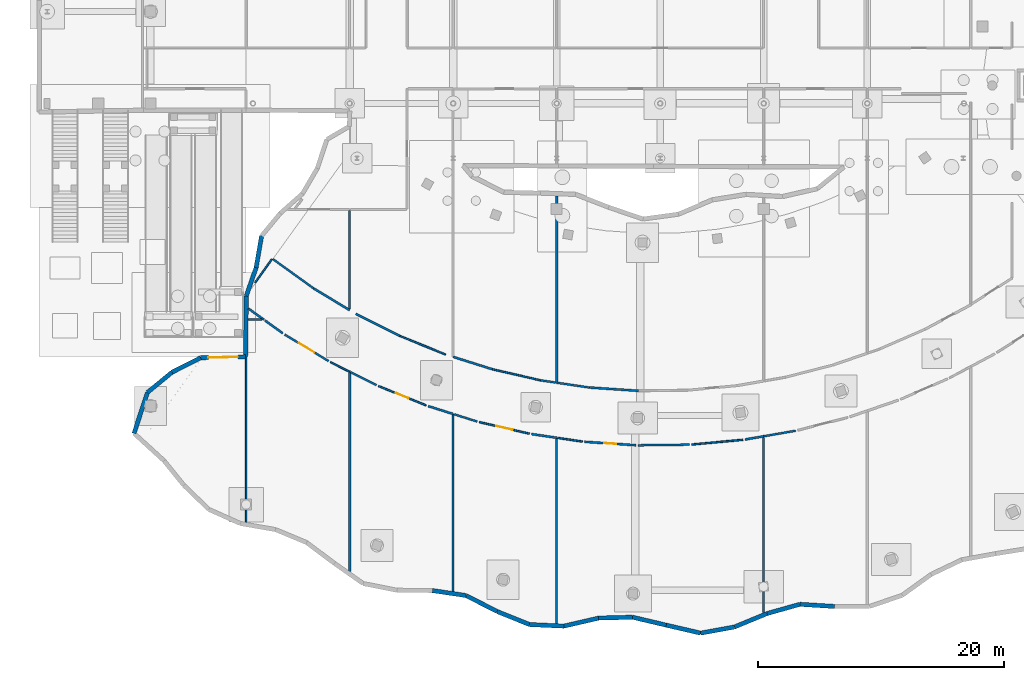
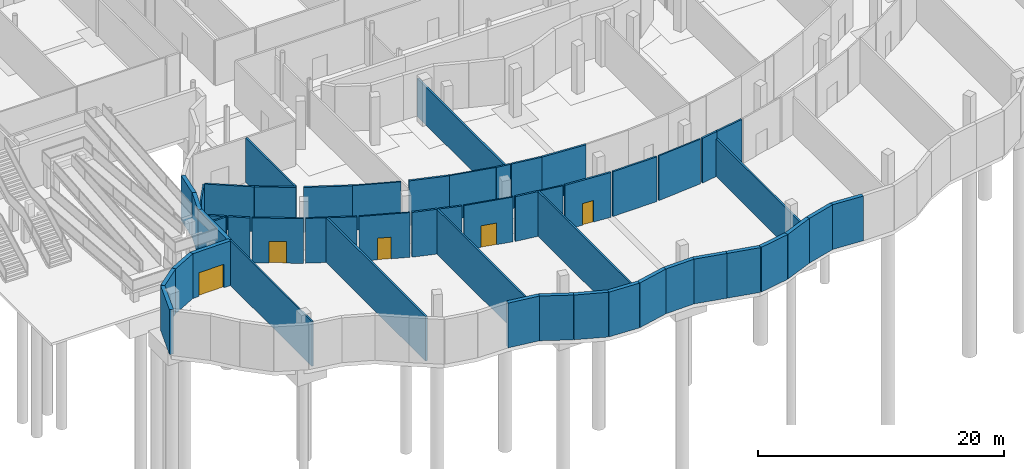
# One storey, part 25 of 45: 53 walls, 5 doors, 5 openings.
"""IFC4 building model written with IfcOpenShell, lengths in metres."""

from ifc_helpers import new_model, si_unit, direction, frame, frame_2d, origin, place, context, subcontext, project, spatial, rectangle, extrude, material, layer, layer_set, type_object, element, fill, save


model = new_model("IFC4")

# Units and contexts
model_context = context("Model", 3, precision=1e-05, world=origin(), true_north=direction((0.0, 1.0)))
body_context = subcontext(model_context, "Body", "Model", "MODEL_VIEW")
ifc_project = project(units=[si_unit("LENGTHUNIT", "METRE"), si_unit("AREAUNIT", "SQUARE_METRE"), si_unit("VOLUMEUNIT", "CUBIC_METRE"), si_unit("PLANEANGLEUNIT", "RADIAN"), si_unit("MASSUNIT", "GRAM", prefix="KILO")], contexts=[model_context])

# Site, building, storey
site_placement = place(None, origin())
site = spatial("IfcSite", under=ifc_project, at=site_placement, CompositionType="ELEMENT")
building_placement = place(site_placement, origin())
building = spatial("IfcBuilding", under=site, at=building_placement, Name="Selatvlak General Hospital", CompositionType="ELEMENT")
storey_placement = place(building_placement, frame((0.0, 0.0, -4.800048828125)))
storey = spatial("IfcBuildingStorey", under=building, at=storey_placement, Name="B1", CompositionType="ELEMENT", Elevation=-4.800048828125)

# Walls
ifc_material_1 = material(Name="Concrete C45/55", Category="concrete")
ifc_layer_1 = layer(ifc_material_1, 0.35009765625, Name="Concrete C45/55", Category="concrete")
ifc_layer_set_1 = layer_set([ifc_layer_1], Name="Concrete C45/55")
wall_type_1 = type_object("IfcWallType", Name="WALL-EW-05", PredefinedType="SHEAR", material=ifc_layer_set_1)
wall_1_placement = place(storey_placement, frame((70.55810546875, 11.72802734375, 0.0), z_axis=(0.0, 0.0, 1.0), x_axis=(-0.998033354876, 0.062685106323, 0.0)))
element("IfcWall", 1, at=wall_1_placement, inside=storey, type_object=wall_type_1, Name="B1 retaining wall 0088", PredefinedType="SHEAR", context=body_context, shape_type="SweptSolid", body=[
    extrude(rectangle(XDim=2.82373046875, YDim=0.35009765625, at=frame_2d((1.411865234375, 0.0))), origin(), (0.0, 0.0, 1.0), 4.449951171875),
])
wall_2_placement = place(storey_placement, frame((67.739990234375, 11.905029296875, 0.0), z_axis=(0.0, 0.0, 1.0), x_axis=(-0.962814213191, -0.270164377515, 0.0)))
element("IfcWall", 2, at=wall_2_placement, inside=storey, type_object=wall_type_1, Name="B1 retaining wall 0089", PredefinedType="SHEAR", context=body_context, shape_type="SweptSolid", body=[
    extrude(rectangle(XDim=2.76171875, YDim=0.35009765625, at=frame_2d((1.380859375, 0.0))), origin(), (0.0, 0.0, 1.0), 4.449951171875),
])
wall_3_placement = place(storey_placement, frame((65.0810546875, 11.158935546875, 0.0), z_axis=(0.0, 0.0, 1.0), x_axis=(-0.924656958571, -0.380801140973, 0.0)))
element("IfcWall", 3, at=wall_3_placement, inside=storey, type_object=wall_type_1, Name="B1 retaining wall 0090", PredefinedType="SHEAR", context=body_context, shape_type="SweptSolid", body=[
    extrude(rectangle(XDim=2.870361328125, YDim=0.35009765625, at=frame_2d((1.43505859375, 0.0))), origin(), (0.0, 0.0, 1.0), 4.449951171875),
])
wall_4_placement = place(storey_placement, frame((62.427001953125, 10.06591796875, 0.0), z_axis=(0.0, 0.0, 1.0), x_axis=(-0.983797136218, -0.179285232995, 0.0)))
element("IfcWall", 4, at=wall_4_placement, inside=storey, type_object=wall_type_1, Name="B1 retaining wall 0091", PredefinedType="SHEAR", context=body_context, shape_type="SweptSolid", body=[
    extrude(rectangle(XDim=2.794189453125, YDim=0.35009765625, at=frame_2d((1.39697265625, 0.0))), origin(), (0.0, 0.0, 1.0), 4.449951171875),
])
wall_5_placement = place(storey_placement, frame((59.677978515625, 9.56494140625, 0.0), z_axis=(0.0, 0.0, 1.0), x_axis=(-0.974164100438, 0.225841327967, 0.0)))
element("IfcWall", 5, at=wall_5_placement, inside=storey, type_object=wall_type_1, Name="B1 retaining wall 0092", PredefinedType="SHEAR", context=body_context, shape_type="SweptSolid", body=[
    extrude(rectangle(XDim=2.869140625, YDim=0.35009765625, at=frame_2d((1.4345703125, 0.0))), origin(), (0.0, 0.0, 1.0), 4.449951171875),
])
wall_6_placement = place(storey_placement, frame((56.883056640625, 10.212890625, 0.0), z_axis=(0.0, 0.0, 1.0), x_axis=(-0.973222843886, 0.22986364684, 0.0)))
element("IfcWall", 6, at=wall_6_placement, inside=storey, type_object=wall_type_1, Name="B1 retaining wall 0093", PredefinedType="SHEAR", context=body_context, shape_type="SweptSolid", body=[
    extrude(rectangle(XDim=2.80615234375, YDim=0.35009765625, at=frame_2d((1.403076171875, 0.0))), origin(), (0.0, 0.0, 1.0), 4.449951171875),
])
wall_7_placement = place(storey_placement, frame((54.152099609375, 10.85791015625, 0.0), z_axis=(0.0, 0.0, 1.0), x_axis=(-0.999666853893, -0.02581048679, 0.0)))
element("IfcWall", 7, at=wall_7_placement, inside=storey, type_object=wall_type_1, Name="B1 retaining wall 0094", PredefinedType="SHEAR", context=body_context, shape_type="SweptSolid", body=[
    extrude(rectangle(XDim=2.7431640625, YDim=0.35009765625, at=frame_2d((1.37158203125, 0.0))), origin(), (0.0, 0.0, 1.0), 4.449951171875),
])
wall_8_placement = place(storey_placement, frame((51.409912109375, 10.787109375, 0.0), z_axis=(0.0, 0.0, 1.0), x_axis=(-0.974280502406, -0.225338639899, 0.0)))
element("IfcWall", 8, at=wall_8_placement, inside=storey, type_object=wall_type_1, Name="B1 retaining wall 0095", PredefinedType="SHEAR", context=body_context, shape_type="SweptSolid", body=[
    extrude(rectangle(XDim=2.902587890625, YDim=0.35009765625, at=frame_2d((1.451171875, 0.0))), origin(), (0.0, 0.0, 1.0), 4.449951171875),
])
wall_9_placement = place(storey_placement, frame((48.58203125, 10.133056640625, 0.0), z_axis=(0.0, 0.0, 1.0), x_axis=(-0.998945099637, 0.045920451988, 0.0)))
element("IfcWall", 9, at=wall_9_placement, inside=storey, type_object=wall_type_1, Name="B1 retaining wall 0096", PredefinedType="SHEAR", context=body_context, shape_type="SweptSolid", body=[
    extrude(rectangle(XDim=2.785888671875, YDim=0.35009765625, at=frame_2d((1.39306640625, 0.0))), origin(), (0.0, 0.0, 1.0), 4.449951171875),
])
wall_10_placement = place(storey_placement, frame((45.799072265625, 10.260986328125, 0.0), z_axis=(0.0, 0.0, 1.0), x_axis=(-0.927476599419, 0.37388120778, 0.0)))
element("IfcWall", 10, at=wall_10_placement, inside=storey, type_object=wall_type_1, Name="B1 retaining wall 0097", PredefinedType="SHEAR", context=body_context, shape_type="SweptSolid", body=[
    extrude(rectangle(XDim=2.837890625, YDim=0.35009765625, at=frame_2d((1.4189453125, 0.0))), origin(), (0.0, 0.0, 1.0), 4.449951171875),
])
wall_11_placement = place(storey_placement, frame((43.1669921875, 11.322021484375, 0.0), z_axis=(0.0, 0.0, 1.0), x_axis=(-0.88987122719, 0.456211791846, 0.0)))
element("IfcWall", 11, at=wall_11_placement, inside=storey, type_object=wall_type_1, Name="B1 retaining wall 0098", PredefinedType="SHEAR", context=body_context, shape_type="SweptSolid", body=[
    extrude(rectangle(XDim=2.836181640625, YDim=0.35009765625, at=frame_2d((1.41796875, 0.0))), origin(), (0.0, 0.0, 1.0), 4.449951171875),
])
wall_12_placement = place(storey_placement, frame((40.64306640625, 12.615966796875, 0.0), z_axis=(0.0, 0.0, 1.0), x_axis=(-0.989332090641, 0.145677776028, 0.0)))
element("IfcWall", 12, at=wall_12_placement, inside=storey, type_object=wall_type_1, Name="B1 retaining wall 0099", PredefinedType="SHEAR", context=body_context, shape_type="SweptSolid", body=[
    extrude(rectangle(XDim=2.75341796875, YDim=0.35009765625, at=frame_2d((1.376708984375, 0.0))), origin(), (0.0, 0.0, 1.0), 4.449951171875),
])
wall_13_placement = place(storey_placement, frame((13.700927734375, 25.77587890625, 0.0), z_axis=(0.0, 0.0, 1.0), x_axis=(0.312687681444, 0.949855996388, 0.0)))
element("IfcWall", 13, at=wall_13_placement, inside=storey, type_object=wall_type_1, Name="B1 retaining wall 0110", PredefinedType="SHEAR", context=body_context, shape_type="SweptSolid", body=[
    extrude(rectangle(XDim=3.498779296875, YDim=0.35009765625, at=frame_2d((1.74951171875, 0.0))), origin(), (0.0, 0.0, 1.0), 4.449951171875),
])
wall_14_placement = place(storey_placement, frame((14.794921875, 29.09912109375, 0.0), z_axis=(0.0, 0.0, 1.0), x_axis=(0.771468949661, 0.63626697204, 0.0)))
element("IfcWall", 14, at=wall_14_placement, inside=storey, type_object=wall_type_1, Name="B1 retaining wall 0111", PredefinedType="SHEAR", context=body_context, shape_type="SweptSolid", body=[
    extrude(rectangle(XDim=2.56787109375, YDim=0.35009765625, at=frame_2d((1.283935546875, 0.0))), origin(), (0.0, 0.0, 1.0), 4.449951171875),
])
wall_15_placement = place(storey_placement, frame((16.77587890625, 30.73291015625, 0.0), z_axis=(0.0, 0.0, 1.0), x_axis=(0.891517904174, 0.452985459521, 0.0)))
element("IfcWall", 15, at=wall_15_placement, inside=storey, type_object=wall_type_1, Name="B1 retaining wall 0112", PredefinedType="SHEAR", context=body_context, shape_type="SweptSolid", body=[
    extrude(rectangle(XDim=2.6181640625, YDim=0.35009765625, at=frame_2d((1.30908203125, 0.0))), origin(), (0.0, 0.0, 1.0), 4.449951171875),
])

# Wall, opening, door
wall_16_placement = place(storey_placement, frame((19.110107421875, 31.9189453125, 0.0), z_axis=(0.0, 0.0, 1.0), x_axis=(0.999835282464, 0.018149598871, 0.0)))
wall_16 = element("IfcWall", 16, at=wall_16_placement, inside=storey, type_object=wall_type_1, Name="B1 retaining wall 0113", PredefinedType="SHEAR", context=body_context, shape_type="SweptSolid", body=[
    extrude(rectangle(XDim=3.645263671875, YDim=0.35009765625, at=frame_2d((1.82275390625, 0.0))), origin(), (0.0, 0.0, 1.0), 4.449951171875),
])
opening_1_placement = place(wall_16_placement, frame((0.623046875, 0.0, 0.0)))
opening_1 = element("IfcOpeningElement", 17, at=opening_1_placement, cuts=wall_16, Name="Opening DE-01", PredefinedType="OPENING", context=body_context, shape_type="SweptSolid", body=[
    extrude(rectangle(XDim=2.39990234375, YDim=2.35009765625, at=frame_2d((1.199951171875, 1.175048828125))), frame((0.0, 0.18505859375, 0.0), z_axis=(0.0, -1.0, 0.0), x_axis=(1.0, 0.0, 0.0)), (0.0, 0.0, 1.0), 0.3701171875),
])
ifc_material_2 = material(Name="Anodised aluminium glazed entrance door", Category="aluminium")
door_type_1 = type_object("IfcDoorType", Name="DOOR-DE-01", OperationType="DOUBLE_DOOR_SINGLE_SWING", PredefinedType="DOOR", material=ifc_material_2)
door_1_placement = place(opening_1_placement, origin())
door_1 = element("IfcDoor", 18, at=door_1_placement, inside=storey, type_object=door_type_1, Name="B1 sunken metro forecourt entrance 001", OperationType="DOUBLE_DOOR_SINGLE_SWING", OverallHeight=2.35009765625, OverallWidth=2.39990234375, PredefinedType="DOOR", context=body_context, shape_type="SweptSolid", body=[
    extrude(rectangle(XDim=2.39990234375, YDim=2.35009765625, at=frame_2d((1.199951171875, 1.175048828125))), frame((0.0, 0.02490234375, 0.0), z_axis=(0.0, -1.0, 0.0), x_axis=(1.0, 0.0, 0.0)), (0.0, 0.0, 1.0), 0.050048828125),
])
fill(opening_1, door_1)

# Walls
wall_17_placement = place(storey_placement, frame((22.7548828125, 31.985107421875, 0.0), z_axis=(0.0, 0.0, 1.0), x_axis=(0.012149651428, 0.999926190261, 0.0)))
element("IfcWall", 19, at=wall_17_placement, inside=storey, type_object=wall_type_1, Name="B1 retaining wall 0114", PredefinedType="SHEAR", context=body_context, shape_type="SweptSolid", body=[
    extrude(rectangle(XDim=4.943115234375, YDim=0.35009765625, at=frame_2d((2.4716796875, 0.0))), origin(), (0.0, 0.0, 1.0), 4.449951171875),
])
wall_18_placement = place(storey_placement, frame((22.81494140625, 36.927978515625, 0.0), z_axis=(0.0, 0.0, 1.0), x_axis=(0.326306469555, 0.945264030801, 0.0)))
element("IfcWall", 20, at=wall_18_placement, inside=storey, type_object=wall_type_1, Name="B1 retaining wall 0115", PredefinedType="SHEAR", context=body_context, shape_type="SweptSolid", body=[
    extrude(rectangle(XDim=2.43017578125, YDim=0.35009765625, at=frame_2d((1.215087890625, 0.0))), origin(), (0.0, 0.0, 1.0), 4.449951171875),
])
wall_19_placement = place(storey_placement, frame((23.60791015625, 39.22509765625, 0.0), z_axis=(0.0, 0.0, 1.0), x_axis=(0.170277496442, 0.985396150899, 0.0)))
element("IfcWall", 21, at=wall_19_placement, inside=storey, type_object=wall_type_1, Name="B1 retaining wall 0116", PredefinedType="SHEAR", context=body_context, shape_type="SweptSolid", body=[
    extrude(rectangle(XDim=2.625244140625, YDim=0.35009765625, at=frame_2d((1.3125, 0.0))), origin(), (0.0, 0.0, 1.0), 4.449951171875),
])
ifc_material_3 = material(Name="Acoustic gypsum stud partition")
ifc_layer_2 = layer(ifc_material_3, 0.179931640625, Name="Acoustic gypsum stud partition")
ifc_layer_set_2 = layer_set([ifc_layer_2], Name="Acoustic gypsum stud partition")
wall_type_2 = type_object("IfcWallType", Name="WALL-PT-01", PredefinedType="PARTITIONING", material=ifc_layer_set_2)
wall_20_placement = place(storey_placement, frame((31.199951171875, 35.77490234375, 0.0), z_axis=(0.0, 0.0, 1.0), x_axis=(-0.855653754928, 0.517548694982, 0.0)))
element("IfcWall", 22, at=wall_20_placement, inside=storey, type_object=wall_type_2, Name="B1 clinical partition PT-B1-0015", PredefinedType="PARTITIONING", context=body_context, shape_type="SweptSolid", body=[
    extrude(rectangle(XDim=3.40673828125, YDim=0.179931640625, at=frame_2d((1.703369140625, 0.0))), origin(), (0.0, 0.0, 1.0), 4.449951171875),
])
wall_21_placement = place(storey_placement, frame((22.97509765625, 35.9130859375, 0.0), z_axis=(0.0, 0.0, 1.0), x_axis=(0.811457274754, -0.584411748042, 0.0)))
element("IfcWall", 23, at=wall_21_placement, inside=storey, type_object=wall_type_2, Name="B1 clinical partition PT-B1-0018", PredefinedType="PARTITIONING", context=body_context, shape_type="SweptSolid", body=[
    extrude(rectangle(XDim=1.5625, YDim=0.179931640625, at=frame_2d((0.78125, 0.0))), origin(), (0.0, 0.0, 1.0), 4.449951171875),
])
wall_22_placement = place(storey_placement, frame((24.326904296875, 34.93994140625, 0.0), z_axis=(0.0, 0.0, 1.0), x_axis=(0.811871506141, -0.583836156396, 0.0)))
element("IfcWall", 24, at=wall_22_placement, inside=storey, type_object=wall_type_2, Name="B1 clinical partition PT-B1-0033", PredefinedType="PARTITIONING", context=body_context, shape_type="SweptSolid", body=[
    extrude(rectangle(XDim=1.78466796875, YDim=0.179931640625, at=frame_2d((0.892333984375, 0.0))), origin(), (0.0, 0.0, 1.0), 4.449951171875),
])
wall_23_placement = place(storey_placement, frame((31.199951171875, 30.779052734375, 0.0), z_axis=(0.0, 0.0, 1.0), x_axis=(0.0, -1.0, 0.0)))
element("IfcWall", 25, at=wall_23_placement, inside=storey, type_object=wall_type_2, Name="B1 clinical partition PT-B1-0036", PredefinedType="PARTITIONING", context=body_context, shape_type="SweptSolid", body=[
    extrude(rectangle(XDim=16.212158203125, YDim=0.179931640625, at=frame_2d((8.10595703125, 0.0))), origin(), (0.0, 0.0, 1.0), 4.449951171875),
])
wall_24_placement = place(storey_placement, frame((37.574951171875, 27.988037109375, 0.0), z_axis=(0.0, 0.0, 1.0), x_axis=(0.953796174372, -0.300454418762, 0.0)))
element("IfcWall", 26, at=wall_24_placement, inside=storey, type_object=wall_type_2, Name="B1 clinical partition PT-B1-0042", PredefinedType="PARTITIONING", context=body_context, shape_type="SweptSolid", body=[
    extrude(rectangle(XDim=2.123291015625, YDim=0.179931640625, at=frame_2d((1.0615234375, 0.0))), origin(), (0.0, 0.0, 1.0), 4.449951171875),
])
wall_25_placement = place(storey_placement, frame((35.281005859375, 33.677978515625, 0.0), z_axis=(0.0, 0.0, 1.0), x_axis=(-0.894072773978, 0.447921728464, 0.0)))
element("IfcWall", 27, at=wall_25_placement, inside=storey, type_object=wall_type_2, Name="B1 clinical partition PT-B1-0051", PredefinedType="PARTITIONING", context=body_context, shape_type="SweptSolid", body=[
    extrude(rectangle(XDim=3.99853515625, YDim=0.179931640625, at=frame_2d((1.999267578125, 0.0))), origin(), (0.0, 0.0, 1.0), 4.449951171875),
])
wall_26_placement = place(storey_placement, frame((45.966064453125, 25.719970703125, 0.0), z_axis=(0.0, 0.0, 1.0), x_axis=(0.989293174374, -0.145941821067, 0.0)))
element("IfcWall", 28, at=wall_26_placement, inside=storey, type_object=wall_type_2, Name="B1 clinical partition PT-B1-0060", PredefinedType="PARTITIONING", context=body_context, shape_type="SweptSolid", body=[
    extrude(rectangle(XDim=2.055908203125, YDim=0.179931640625, at=frame_2d((1.02783203125, 0.0))), origin(), (0.0, 0.0, 1.0), 4.449951171875),
])
wall_27_placement = place(storey_placement, frame((48.0, 45.055908203125, 0.0), z_axis=(0.0, 0.0, 1.0), x_axis=(0.0, -1.0, 0.0)))
element("IfcWall", 29, at=wall_27_placement, inside=storey, type_object=wall_type_2, Name="B1 clinical partition PT-B1-0063", PredefinedType="PARTITIONING", context=body_context, shape_type="SweptSolid", body=[
    extrude(rectangle(XDim=15.16796875, YDim=0.179931640625, at=frame_2d((7.583984375, 0.0))), origin(), (0.0, 0.0, 1.0), 3.75),
])
wall_28_placement = place(storey_placement, frame((42.801025390625, 30.97509765625, 0.0), z_axis=(0.0, 0.0, 1.0), x_axis=(-0.953756214308, 0.300581243042, 0.0)))
element("IfcWall", 30, at=wall_28_placement, inside=storey, type_object=wall_type_2, Name="B1 clinical partition PT-B1-0066", PredefinedType="PARTITIONING", context=body_context, shape_type="SweptSolid", body=[
    extrude(rectangle(XDim=3.356201171875, YDim=0.179931640625, at=frame_2d((1.67822265625, 0.0))), origin(), (0.0, 0.0, 1.0), 4.449951171875),
])

# Wall, opening, door
wall_29_placement = place(storey_placement, frame((50.26904296875, 25.093017578125, 0.0), z_axis=(0.0, 0.0, 1.0), x_axis=(0.997763106532, -0.066848958427, 0.0)))
wall_29 = element("IfcWall", 31, at=wall_29_placement, inside=storey, type_object=wall_type_2, Name="B1 clinical partition PT-B1-0072", PredefinedType="PARTITIONING", context=body_context, shape_type="SweptSolid", body=[
    extrude(rectangle(XDim=4.17431640625, YDim=0.179931640625, at=frame_2d((2.087158203125, 0.0))), origin(), (0.0, 0.0, 1.0), 4.449951171875),
])
opening_2_placement = place(wall_29_placement, frame((1.5869140625, 0.0, 0.0)))
opening_2 = element("IfcOpeningElement", 32, at=opening_2_placement, cuts=wall_29, Name="Opening D-21", PredefinedType="OPENING", context=body_context, shape_type="SweptSolid", body=[
    extrude(rectangle(XDim=1.0, YDim=2.14990234375, at=frame_2d((0.5, 1.074951171875))), frame((0.0, 0.099853515625, 0.0), z_axis=(0.0, -1.0, 0.0), x_axis=(1.0, 0.0, 0.0)), (0.0, 0.0, 1.0), 0.199951171875),
])
ifc_material_4 = material(Name="Laboratory fire door")
door_type_2 = type_object("IfcDoorType", Name="DOOR-D-21", OperationType="NOTDEFINED", PredefinedType="DOOR", material=ifc_material_4)
door_2_placement = place(opening_2_placement, origin())
door_2 = element("IfcDoor", 33, at=door_2_placement, inside=storey, type_object=door_type_2, Name="B1 Biomedical Supply Store 12 door", OperationType="SINGLE_SWING_RIGHT", OverallHeight=2.14990234375, OverallWidth=1.0, PredefinedType="DOOR", context=body_context, shape_type="SweptSolid", body=[
    extrude(rectangle(XDim=1.0, YDim=2.14990234375, at=frame_2d((0.5, 1.074951171875))), frame((0.0, 0.02490234375, 0.0), z_axis=(0.0, -1.0, 0.0), x_axis=(1.0, 0.0, 0.0)), (0.0, 0.0, 1.0), 0.050048828125),
])
fill(opening_2, door_2)

# Walls
wall_30_placement = place(storey_placement, frame((63.2900390625, 25.280029296875, 0.0), z_axis=(0.0, 0.0, 1.0), x_axis=(0.985282990006, 0.170931066819, 0.0)))
element("IfcWall", 34, at=wall_30_placement, inside=storey, type_object=wall_type_2, Name="B1 clinical partition PT-B1-0075", PredefinedType="PARTITIONING", context=body_context, shape_type="SweptSolid", body=[
    extrude(rectangle(XDim=1.532470703125, YDim=0.179931640625, at=frame_2d((0.76611328125, 0.0))), origin(), (0.0, 0.0, 1.0), 4.449951171875),
])
wall_31_placement = place(storey_placement, frame((54.64208984375, 29.22998046875, 0.0), z_axis=(0.0, 0.0, 1.0), x_axis=(-0.99776702154, 0.06679049878, 0.0)))
element("IfcWall", 35, at=wall_31_placement, inside=storey, type_object=wall_type_2, Name="B1 clinical partition PT-B1-0081", PredefinedType="PARTITIONING", context=body_context, shape_type="SweptSolid", body=[
    extrude(rectangle(XDim=3.9990234375, YDim=0.179931640625, at=frame_2d((1.99951171875, 0.0))), origin(), (0.0, 0.0, 1.0), 4.449951171875),
])
ifc_layer_3 = layer(ifc_material_3, 0.1650390625, Name="Acoustic gypsum stud partition")
ifc_layer_set_3 = layer_set([ifc_layer_3], Name="Acoustic gypsum stud partition")
wall_type_3 = type_object("IfcWallType", Name="WALL-PT-02", PredefinedType="PARTITIONING", material=ifc_layer_set_3)
wall_32_placement = place(storey_placement, frame((28.284912109375, 37.5380859375, 0.0), z_axis=(0.0, 0.0, 1.0), x_axis=(-0.811900299153, 0.583796115297, 0.0)))
element("IfcWall", 36, at=wall_32_placement, inside=storey, type_object=wall_type_3, Name="B1 clinical partition PT-B1-0016", PredefinedType="PARTITIONING", context=body_context, shape_type="SweptSolid", body=[
    extrude(rectangle(XDim=4.08544921875, YDim=0.1650390625, at=frame_2d((2.042724609375, 0.0))), origin(), (0.0, 0.0, 1.0), 4.449951171875),
])
wall_33_placement = place(storey_placement, frame((24.095947265625, 35.0, 0.0), z_axis=(0.0, 0.0, 1.0), x_axis=(-1.0, 0.0, 0.0)))
element("IfcWall", 37, at=wall_33_placement, inside=storey, type_object=wall_type_3, Name="B1 clinical partition PT-B1-0019", PredefinedType="PARTITIONING", context=body_context, shape_type="SweptSolid", body=[
    extrude(rectangle(XDim=1.1318359375, YDim=0.1650390625, at=frame_2d((0.56591796875, 0.0))), origin(), (0.0, 0.0, 1.0), 4.449951171875),
])
wall_34_placement = place(storey_placement, frame((31.199951171875, 43.85400390625, 0.0), z_axis=(0.0, 0.0, 1.0), x_axis=(0.0, -1.0, 0.0)))
element("IfcWall", 38, at=wall_34_placement, inside=storey, type_object=wall_type_3, Name="B1 clinical partition PT-B1-0022", PredefinedType="PARTITIONING", context=body_context, shape_type="SweptSolid", body=[
    extrude(rectangle(XDim=7.97802734375, YDim=0.1650390625, at=frame_2d((3.989013671875, 0.0))), origin(), (0.0, 0.0, 1.0), 4.449951171875),
])

# Wall, opening, door
wall_35_placement = place(storey_placement, frame((25.922119140625, 33.801025390625, 0.0), z_axis=(0.0, 0.0, 1.0), x_axis=(0.855707289443, -0.517460177013, 0.0)))
wall_35 = element("IfcWall", 39, at=wall_35_placement, inside=storey, type_object=wall_type_3, Name="B1 clinical partition PT-B1-0034", PredefinedType="PARTITIONING", context=body_context, shape_type="SweptSolid", body=[
    extrude(rectangle(XDim=4.174072265625, YDim=0.1650390625, at=frame_2d((2.0869140625, 0.0))), origin(), (0.0, 0.0, 1.0), 4.449951171875),
])
opening_3_placement = place(wall_35_placement, frame((1.362060546875, 0.0, 0.0)))
opening_3 = element("IfcOpeningElement", 40, at=opening_3_placement, cuts=wall_35, Name="Opening D-12", PredefinedType="OPENING", context=body_context, shape_type="SweptSolid", body=[
    extrude(rectangle(XDim=1.449951171875, YDim=2.14990234375, at=frame_2d((0.72509765625, 1.074951171875))), frame((0.0, 0.092529296875, 0.0), z_axis=(0.0, -1.0, 0.0), x_axis=(1.0, 0.0, 0.0)), (0.0, 0.0, 1.0), 0.18505859375),
])
ifc_material_5 = material(Name="Isolation anteroom door")
door_type_3 = type_object("IfcDoorType", Name="DOOR-D-12", OperationType="NOTDEFINED", PredefinedType="DOOR", material=ifc_material_5)
door_3_placement = place(opening_3_placement, origin())
door_3 = element("IfcDoor", 41, at=door_3_placement, inside=storey, type_object=door_type_3, Name="B1 Biomedical Supply Store 03 door", OperationType="SINGLE_SWING_LEFT", OverallHeight=2.14990234375, OverallWidth=1.449951171875, PredefinedType="DOOR", context=body_context, shape_type="SweptSolid", body=[
    extrude(rectangle(XDim=1.449951171875, YDim=2.14990234375, at=frame_2d((0.72509765625, 1.074951171875))), frame((0.0, 0.02490234375, 0.0), z_axis=(0.0, -1.0, 0.0), x_axis=(1.0, 0.0, 0.0)), (0.0, 0.0, 1.0), 0.050048828125),
])
fill(opening_3, door_3)

# Walls
wall_36_placement = place(storey_placement, frame((31.285888671875, 30.736083984375, 0.0), z_axis=(0.0, 0.0, 1.0), x_axis=(0.894072491739, -0.447922291827, 0.0)))
element("IfcWall", 42, at=wall_36_placement, inside=storey, type_object=wall_type_3, Name="B1 clinical partition PT-B1-0040", PredefinedType="PARTITIONING", context=body_context, shape_type="SweptSolid", body=[
    extrude(rectangle(XDim=2.342041015625, YDim=0.1650390625, at=frame_2d((1.1708984375, 0.0))), origin(), (0.0, 0.0, 1.0), 4.449951171875),
])
wall_37_placement = place(storey_placement, frame((39.60009765625, 27.35009765625, 0.0), z_axis=(0.0, 0.0, 1.0), x_axis=(0.0, -1.0, 0.0)))
element("IfcWall", 43, at=wall_37_placement, inside=storey, type_object=wall_type_3, Name="B1 clinical partition PT-B1-0043", PredefinedType="PARTITIONING", context=body_context, shape_type="SweptSolid", body=[
    extrude(rectangle(XDim=14.406982421875, YDim=0.1650390625, at=frame_2d((7.20361328125, 0.0))), origin(), (0.0, 0.0, 1.0), 4.449951171875),
])
wall_38_placement = place(storey_placement, frame((39.677978515625, 27.324951171875, 0.0), z_axis=(0.0, 0.0, 1.0), x_axis=(0.953726845655, -0.300674415069, 0.0)))
element("IfcWall", 44, at=wall_38_placement, inside=storey, type_object=wall_type_3, Name="B1 clinical partition PT-B1-0058", PredefinedType="PARTITIONING", context=body_context, shape_type="SweptSolid", body=[
    extrude(rectangle(XDim=1.968994140625, YDim=0.1650390625, at=frame_2d((0.984375, 0.0))), origin(), (0.0, 0.0, 1.0), 4.449951171875),
])
wall_39_placement = place(storey_placement, frame((48.0, 25.419921875, 0.0), z_axis=(0.0, 0.0, 1.0), x_axis=(0.0, -1.0, 0.0)))
element("IfcWall", 45, at=wall_39_placement, inside=storey, type_object=wall_type_3, Name="B1 clinical partition PT-B1-0061", PredefinedType="PARTITIONING", context=body_context, shape_type="SweptSolid", body=[
    extrude(rectangle(XDim=15.087890625, YDim=0.1650390625, at=frame_2d((7.5439453125, 0.0))), origin(), (0.0, 0.0, 1.0), 4.449951171875),
])
wall_40_placement = place(storey_placement, frame((47.9140625, 29.90087890625, 0.0), z_axis=(0.0, 0.0, 1.0), x_axis=(-0.989333072423, 0.145671108357, 0.0)))
element("IfcWall", 46, at=wall_40_placement, inside=storey, type_object=wall_type_3, Name="B1 clinical partition PT-B1-0064", PredefinedType="PARTITIONING", context=body_context, shape_type="SweptSolid", body=[
    extrude(rectangle(XDim=1.230224609375, YDim=0.1650390625, at=frame_2d((0.615234375, 0.0))), origin(), (0.0, 0.0, 1.0), 4.449951171875),
])
wall_41_placement = place(storey_placement, frame((54.610107421875, 24.80908203125, 0.0), z_axis=(0.0, 0.0, 1.0), x_axis=(0.999919415558, 0.012694975028, 0.0)))
element("IfcWall", 47, at=wall_41_placement, inside=storey, type_object=wall_type_3, Name="B1 clinical partition PT-B1-0073", PredefinedType="PARTITIONING", context=body_context, shape_type="SweptSolid", body=[
    extrude(rectangle(XDim=4.173095703125, YDim=0.1650390625, at=frame_2d((2.08642578125, 0.0))), origin(), (0.0, 0.0, 1.0), 4.449951171875),
])
wall_42_placement = place(storey_placement, frame((64.800048828125, 25.455078125, 0.0), z_axis=(0.0, 0.0, 1.0), x_axis=(0.0, -1.0, 0.0)))
element("IfcWall", 48, at=wall_42_placement, inside=storey, type_object=wall_type_3, Name="B1 clinical partition PT-B1-0076", PredefinedType="PARTITIONING", context=body_context, shape_type="SweptSolid", body=[
    extrude(rectangle(XDim=14.22607421875, YDim=0.1650390625, at=frame_2d((7.113037109375, 0.0))), origin(), (0.0, 0.0, 1.0), 3.75),
])
wall_43_placement = place(storey_placement, frame((50.652099609375, 29.4970703125, 0.0), z_axis=(0.0, 0.0, 1.0), x_axis=(-0.989313203243, 0.145805987148, 0.0)))
element("IfcWall", 49, at=wall_43_placement, inside=storey, type_object=wall_type_3, Name="B1 clinical partition PT-B1-0082", PredefinedType="PARTITIONING", context=body_context, shape_type="SweptSolid", body=[
    extrude(rectangle(XDim=2.6806640625, YDim=0.1650390625, at=frame_2d((1.34033203125, 0.0))), origin(), (0.0, 0.0, 1.0), 4.449951171875),
])
wall_44_placement = place(storey_placement, frame((64.800048828125, 25.5419921875, 0.0), z_axis=(0.0, 0.0, 1.0), x_axis=(0.985251758062, 0.171110996826, 0.0)))
element("IfcWall", 50, at=wall_44_placement, inside=storey, type_object=wall_type_3, Name="B1 clinical partition PT-B1-0088", PredefinedType="PARTITIONING", context=body_context, shape_type="SweptSolid", body=[
    extrude(rectangle(XDim=2.64111328125, YDim=0.1650390625, at=frame_2d((1.320556640625, 0.0))), origin(), (0.0, 0.0, 1.0), 4.449951171875),
])
ifc_material_6 = material(Name="Moisture-resistant clinical partition")
ifc_layer_4 = layer(ifc_material_6, 0.135009765625, Name="Moisture-resistant clinical partition")
ifc_layer_set_4 = layer_set([ifc_layer_4], Name="Moisture-resistant clinical partition")
wall_type_4 = type_object("IfcWallType", Name="WALL-PT-04", PredefinedType="PARTITIONING", material=ifc_layer_set_4)
wall_45_placement = place(storey_placement, frame((24.885009765625, 39.908935546875, 0.0), z_axis=(0.0, 0.0, 1.0), x_axis=(-0.583931897936, -0.811802647552, 0.0)))
element("IfcWall", 51, at=wall_45_placement, inside=storey, type_object=wall_type_4, Name="B1 clinical partition PT-B1-0017", PredefinedType="PARTITIONING", context=body_context, shape_type="SweptSolid", body=[
    extrude(rectangle(XDim=2.3291015625, YDim=0.135009765625, at=frame_2d((1.16455078125, 0.0))), origin(), (0.0, 0.0, 1.0), 4.449951171875),
])
wall_46_placement = place(storey_placement, frame((22.800048828125, 18.551025390625, 0.0), z_axis=(0.0, 0.0, 1.0), x_axis=(0.0, 1.0, 0.0)))
element("IfcWall", 52, at=wall_46_placement, inside=storey, type_object=wall_type_4, Name="B1 clinical partition PT-B1-0032", PredefinedType="PARTITIONING", context=body_context, shape_type="SweptSolid", body=[
    extrude(rectangle(XDim=13.432861328125, YDim=0.135009765625, at=frame_2d((6.71630859375, 0.0))), origin(), (0.0, 0.0, 1.0), 4.449951171875),
])
wall_47_placement = place(storey_placement, frame((29.64794921875, 31.555908203125, 0.0), z_axis=(0.0, 0.0, 1.0), x_axis=(0.894230168264, -0.447607424165, 0.0)))
element("IfcWall", 53, at=wall_47_placement, inside=storey, type_object=wall_type_4, Name="B1 clinical partition PT-B1-0035", PredefinedType="PARTITIONING", context=body_context, shape_type="SweptSolid", body=[
    extrude(rectangle(XDim=1.735595703125, YDim=0.135009765625, at=frame_2d((0.86767578125, 0.0))), origin(), (0.0, 0.0, 1.0), 4.449951171875),
])

# Wall, opening, door
wall_48_placement = place(storey_placement, frame((33.5400390625, 29.614990234375, 0.0), z_axis=(0.0, 0.0, 1.0), x_axis=(0.926870756001, -0.375380609075, 0.0)))
wall_48 = element("IfcWall", 54, at=wall_48_placement, inside=storey, type_object=wall_type_4, Name="B1 clinical partition PT-B1-0041", PredefinedType="PARTITIONING", context=body_context, shape_type="SweptSolid", body=[
    extrude(rectangle(XDim=4.174072265625, YDim=0.135009765625, at=frame_2d((2.0869140625, 0.0))), origin(), (0.0, 0.0, 1.0), 4.449951171875),
])
opening_4_placement = place(wall_48_placement, frame((1.537109375, 0.0, 0.0)))
opening_4 = element("IfcOpeningElement", 55, at=opening_4_placement, cuts=wall_48, Name="Opening D-22", PredefinedType="OPENING", context=body_context, shape_type="SweptSolid", body=[
    extrude(rectangle(XDim=1.10009765625, YDim=2.14990234375, at=frame_2d((0.550048828125, 1.074951171875))), frame((0.0, 0.077392578125, 0.0), z_axis=(0.0, -1.0, 0.0), x_axis=(1.0, 0.0, 0.0)), (0.0, 0.0, 1.0), 0.155029296875),
])
ifc_material_7 = material(Name="Pharmacy security fire door")
door_type_4 = type_object("IfcDoorType", Name="DOOR-D-22", OperationType="NOTDEFINED", PredefinedType="DOOR", material=ifc_material_7)
door_4_placement = place(opening_4_placement, origin())
door_4 = element("IfcDoor", 56, at=door_4_placement, inside=storey, type_object=door_type_4, Name="B1 Automated Pharmacy Robotics Plant 05 door", OperationType="SINGLE_SWING_LEFT", OverallHeight=2.14990234375, OverallWidth=1.10009765625, PredefinedType="DOOR", context=body_context, shape_type="SweptSolid", body=[
    extrude(rectangle(XDim=1.10009765625, YDim=2.14990234375, at=frame_2d((0.550048828125, 1.074951171875))), frame((0.0, 0.02490234375, 0.0), z_axis=(0.0, -1.0, 0.0), x_axis=(1.0, 0.0, 0.0)), (0.0, 0.0, 1.0), 0.050048828125),
])
fill(opening_4, door_4)

# Wall
wall_49_placement = place(storey_placement, frame((38.987060546875, 32.177001953125, 0.0), z_axis=(0.0, 0.0, 1.0), x_axis=(-0.926867919325, 0.375387613176, 0.0)))
element("IfcWall", 57, at=wall_49_placement, inside=storey, type_object=wall_type_4, Name="B1 clinical partition PT-B1-0050", PredefinedType="PARTITIONING", context=body_context, shape_type="SweptSolid", body=[
    extrude(rectangle(XDim=3.99853515625, YDim=0.135009765625, at=frame_2d((1.999267578125, 0.0))), origin(), (0.0, 0.0, 1.0), 4.449951171875),
])

# Wall, opening, door
wall_50_placement = place(storey_placement, frame((41.72509765625, 26.68701171875, 0.0), z_axis=(0.0, 0.0, 1.0), x_axis=(0.974584054813, -0.224022141996, 0.0)))
wall_50 = element("IfcWall", 58, at=wall_50_placement, inside=storey, type_object=wall_type_4, Name="B1 clinical partition PT-B1-0059", PredefinedType="PARTITIONING", context=body_context, shape_type="SweptSolid", body=[
    extrude(rectangle(XDim=4.174072265625, YDim=0.135009765625, at=frame_2d((2.0869140625, 0.0))), origin(), (0.0, 0.0, 1.0), 4.449951171875),
])
opening_5_placement = place(wall_50_placement, frame((1.412109375, 0.0, 0.0)))
opening_5 = element("IfcOpeningElement", 59, at=opening_5_placement, cuts=wall_50, Name="Opening D-10", PredefinedType="OPENING", context=body_context, shape_type="SweptSolid", body=[
    extrude(rectangle(XDim=1.35009765625, YDim=2.14990234375, at=frame_2d((0.675048828125, 1.074951171875))), frame((0.0, 0.077392578125, 0.0), z_axis=(0.0, -1.0, 0.0), x_axis=(1.0, 0.0, 0.0)), (0.0, 0.0, 1.0), 0.155029296875),
])
ifc_material_8 = material(Name="Single patient bed door")
door_type_5 = type_object("IfcDoorType", Name="DOOR-D-10", OperationType="NOTDEFINED", PredefinedType="DOOR", material=ifc_material_8)
door_5_placement = place(opening_5_placement, origin())
door_5 = element("IfcDoor", 60, at=door_5_placement, inside=storey, type_object=door_type_5, Name="B1 Biomedical Supply Store 09 door", OperationType="SINGLE_SWING_LEFT", OverallHeight=2.14990234375, OverallWidth=1.35009765625, PredefinedType="DOOR", context=body_context, shape_type="SweptSolid", body=[
    extrude(rectangle(XDim=1.35009765625, YDim=2.14990234375, at=frame_2d((0.675048828125, 1.074951171875))), frame((0.0, 0.02490234375, 0.0), z_axis=(0.0, -1.0, 0.0), x_axis=(1.0, 0.0, 0.0)), (0.0, 0.0, 1.0), 0.050048828125),
])
fill(opening_5, door_5)

# Walls
wall_51_placement = place(storey_placement, frame((46.697021484375, 30.080078125, 0.0), z_axis=(0.0, 0.0, 1.0), x_axis=(-0.974613054852, 0.223895943044, 0.0)))
element("IfcWall", 61, at=wall_51_placement, inside=storey, type_object=wall_type_4, Name="B1 clinical partition PT-B1-0065", PredefinedType="PARTITIONING", context=body_context, shape_type="SweptSolid", body=[
    extrude(rectangle(XDim=3.99755859375, YDim=0.135009765625, at=frame_2d((1.998779296875, 0.0))), origin(), (0.0, 0.0, 1.0), 4.449951171875),
])
wall_52_placement = place(storey_placement, frame((48.077880859375, 25.407958984375, 0.0), z_axis=(0.0, 0.0, 1.0), x_axis=(0.989410787297, -0.145142323191, 0.0)))
element("IfcWall", 62, at=wall_52_placement, inside=storey, type_object=wall_type_4, Name="B1 clinical partition PT-B1-0071", PredefinedType="PARTITIONING", context=body_context, shape_type="SweptSolid", body=[
    extrude(rectangle(XDim=2.03857421875, YDim=0.135009765625, at=frame_2d((1.019287109375, 0.0))), origin(), (0.0, 0.0, 1.0), 4.449951171875),
])
wall_53_placement = place(storey_placement, frame((58.958984375, 24.87109375, 0.0), z_axis=(0.0, 0.0, 1.0), x_axis=(0.995736396847, 0.092244392753, 0.0)))
element("IfcWall", 63, at=wall_53_placement, inside=storey, type_object=wall_type_4, Name="B1 clinical partition PT-B1-0074", PredefinedType="PARTITIONING", context=body_context, shape_type="SweptSolid", body=[
    extrude(rectangle(XDim=4.173828125, YDim=0.135009765625, at=frame_2d((2.0869140625, 0.0))), origin(), (0.0, 0.0, 1.0), 4.449951171875),
])

save(model, "model.ifc")
